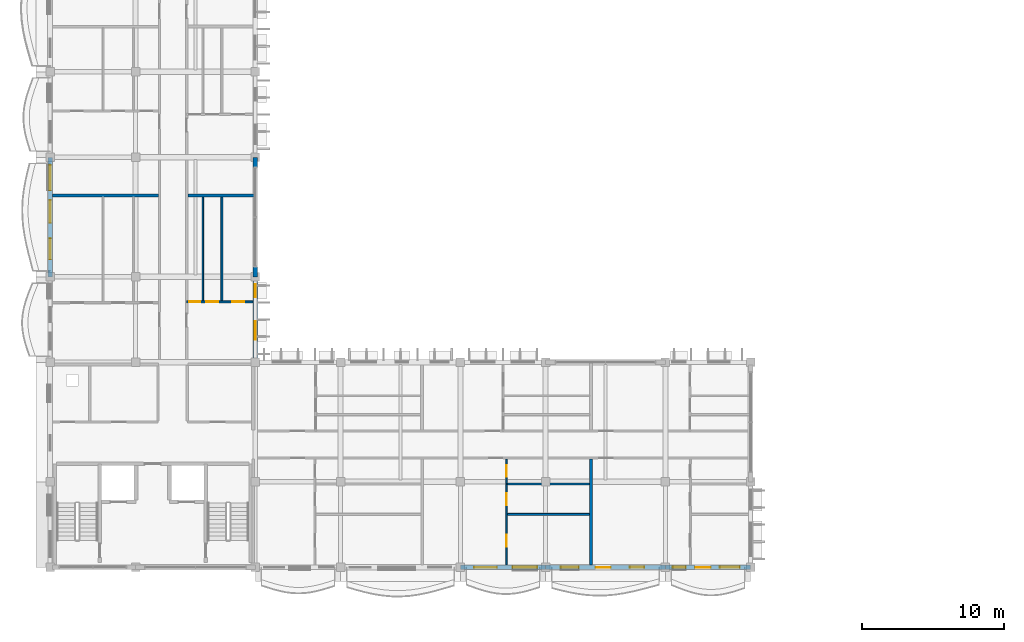
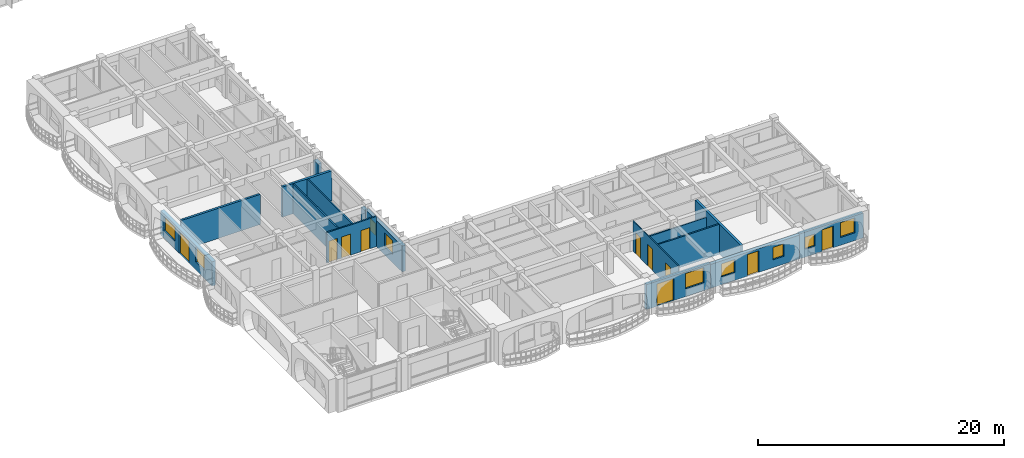
# One storey, part 27 of 79: 16 walls, 10 doors, 9 windows, 19 openings.
"""IFC4 building model written with IfcOpenShell, lengths in metres."""

from ifc_helpers import new_model, si_unit, direction, frame, frame_2d, origin, place, context, subcontext, project, spatial, rectangle, extrude, material, layer, layer_set, type_object, element, fill, save


model = new_model("IFC4")

# Units and contexts
model_context = context("Model", 3, precision=1e-05, world=origin(), true_north=direction((0.0, 1.0)))
body_context = subcontext(model_context, "Body", "Model", "MODEL_VIEW")
ifc_project = project(units=[si_unit("LENGTHUNIT", "METRE"), si_unit("AREAUNIT", "SQUARE_METRE"), si_unit("VOLUMEUNIT", "CUBIC_METRE"), si_unit("PLANEANGLEUNIT", "RADIAN"), si_unit("MASSUNIT", "GRAM", prefix="KILO"), si_unit("THERMODYNAMICTEMPERATUREUNIT", "KELVIN")], contexts=[model_context])

# Site, building, storey
site_placement = place(None, origin())
site = spatial("IfcSite", under=ifc_project, at=site_placement, CompositionType="ELEMENT")
building_placement = place(site_placement, origin())
building = spatial("IfcBuilding", under=site, at=building_placement, Name="Thalorik Housing Commons", CompositionType="ELEMENT")
storey_placement = place(building_placement, frame((0.0, 0.0, 11.39990234375)))
storey = spatial("IfcBuildingStorey", under=building, at=storey_placement, Name="L03", CompositionType="ELEMENT", Elevation=11.39990234375)

# Wall, openings, windows
ifc_material_1 = material(Name="White precast concrete C40/50", Category="concrete")
ifc_layer_1 = layer(ifc_material_1, 0.3349609375, Name="White precast concrete C40/50", Category="concrete")
ifc_layer_set_1 = layer_set([ifc_layer_1], Name="White precast concrete C40/50")
wall_type_1 = type_object("IfcWallType", Name="ARC-WAL-EXT-335", PredefinedType="STANDARD", material=ifc_layer_set_1)
wall_1_placement = place(storey_placement, frame((22.800048828125, 22.800048828125, 0.0), z_axis=(0.0, 0.0, 1.0), x_axis=(0.0, 1.0, 0.0)))
wall_1 = element("IfcWall", 1, at=wall_1_placement, inside=storey, type_object=wall_type_1, Name="L03 Exterior Wall WAL-EXT-L03-C-0905", PredefinedType="STANDARD", context=body_context, shape_type="SweptSolid", body=[
    extrude(rectangle(XDim=6.0, YDim=0.3349609375, at=frame_2d((3.0, 0.0))), origin(), (0.0, 0.0, 1.0), 2.5751953125),
])
opening_1_placement = place(wall_1_placement, frame((1.5712890625, 0.0, 0.780029296875)))
opening_1 = element("IfcOpeningElement", 2, at=opening_1_placement, cuts=wall_1, Name="Opening W-06", PredefinedType="OPENING", context=body_context, shape_type="SweptSolid", body=[
    extrude(rectangle(XDim=1.300048828125, YDim=1.39990234375, at=frame_2d((0.64990234375, 0.699951171875))), frame((0.0, 0.177490234375, 0.0), z_axis=(0.0, -1.0, 0.0), x_axis=(1.0, 0.0, 0.0)), (0.0, 0.0, 1.0), 0.35498046875),
])
opening_2_placement = place(wall_1_placement, frame((4.581298828125, 0.0, 0.780029296875)))
opening_2 = element("IfcOpeningElement", 3, at=opening_2_placement, cuts=wall_1, Name="Opening W-01", PredefinedType="OPENING", context=body_context, shape_type="SweptSolid", body=[
    extrude(rectangle(XDim=0.89990234375, YDim=1.199951171875, at=frame_2d((0.449951171875, 0.60009765625))), frame((0.0, 0.177490234375, 0.0), z_axis=(0.0, -1.0, 0.0), x_axis=(1.0, 0.0, 0.0)), (0.0, 0.0, 1.0), 0.35498046875),
])
ifc_material_2 = material(Name="Anodised aluminium and solar-control low-E glass", Category="aluminium")
window_type_1 = type_object("IfcWindowType", Name="ARC-WIN-01", PartitioningType="SINGLE_PANEL", PredefinedType="WINDOW", material=ifc_material_2)
window_1_placement = place(opening_2_placement, origin())
window_1 = element("IfcWindow", 4, at=window_1_placement, inside=storey, type_object=window_type_1, Name="L03 Facade Window 1676", OverallHeight=1.199951171875, OverallWidth=0.89990234375, PartitioningType="SINGLE_PANEL", PredefinedType="WINDOW", context=body_context, shape_type="SweptSolid", body=[
    extrude(rectangle(XDim=0.89990234375, YDim=1.199951171875, at=frame_2d((0.449951171875, 0.60009765625))), frame((0.0, 0.030029296875, 0.0), z_axis=(0.0, -1.0, 0.0), x_axis=(1.0, 0.0, 0.0)), (0.0, 0.0, 1.0), 0.06005859375),
])
fill(opening_2, window_1)
window_type_2 = type_object("IfcWindowType", Name="ARC-WIN-06", PartitioningType="SINGLE_PANEL", PredefinedType="WINDOW", material=ifc_material_2)
window_2_placement = place(opening_1_placement, origin())
window_2 = element("IfcWindow", 5, at=window_2_placement, inside=storey, type_object=window_type_2, Name="L03 Facade Window 1675", OverallHeight=1.39990234375, OverallWidth=1.300048828125, PartitioningType="SINGLE_PANEL", PredefinedType="WINDOW", context=body_context, shape_type="SweptSolid", body=[
    extrude(rectangle(XDim=1.300048828125, YDim=1.39990234375, at=frame_2d((0.64990234375, 0.699951171875))), frame((0.0, 0.030029296875, 0.0), z_axis=(0.0, -1.0, 0.0), x_axis=(1.0, 0.0, 0.0)), (0.0, 0.0, 1.0), 0.06005859375),
])
fill(opening_1, window_2)

# Walls
for number, where, z_axis, x_axis, name in (
    (6, (22.800048828125, 28.800048828125, 0.0), (0.0, 0.0, 1.0), (0.0, 1.0, 0.0), "L03 Exterior Wall WAL-PIERL-L03-C-0906"),
    (7, (22.800048828125, 36.5, 0.0), (0.0, 0.0, 1.0), (0.0, 1.0, 0.0), "L03 Exterior Wall WAL-PIERR-L03-C-0906"),
):
    element("IfcWall", number, at=place(storey_placement, frame(where, z_axis=z_axis, x_axis=x_axis)), inside=storey, type_object=wall_type_1, Name=name, PredefinedType="STANDARD", context=body_context, shape_type="SweptSolid", body=[
        extrude(rectangle(XDim=0.699951171875, YDim=0.3349609375, at=frame_2d((0.35009765625, 0.0))), origin(), (0.0, 0.0, 1.0), 2.425048828125),
    ])

# Wall, openings, door, windows
wall_2_placement = place(storey_placement, frame((8.39990234375, 37.199951171875, 0.0), z_axis=(0.0, 0.0, 1.0), x_axis=(0.0, -1.0, 0.0)))
wall_2 = element("IfcWall", 8, at=wall_2_placement, inside=storey, type_object=wall_type_1, Name="L03 Exterior Wall WAL-EXT-L03-C-0915", PredefinedType="STANDARD", context=body_context, shape_type="SweptSolid", body=[
    extrude(rectangle(XDim=8.39990234375, YDim=0.3349609375, at=frame_2d((4.199951171875, 0.0))), origin(), (0.0, 0.0, 1.0), 2.425048828125),
])
opening_3_placement = place(wall_2_placement, frame((3.010009765625, 0.0, 0.0)))
opening_3 = element("IfcOpeningElement", 9, at=opening_3_placement, cuts=wall_2, Name="Opening ED-0301", PredefinedType="OPENING", context=body_context, shape_type="SweptSolid", body=[
    extrude(rectangle(XDim=1.60009765625, YDim=2.199951171875, at=frame_2d((0.800048828125, 1.10009765625))), frame((0.0, 0.177490234375, 0.0), z_axis=(0.0, -1.0, 0.0), x_axis=(1.0, 0.0, 0.0)), (0.0, 0.0, 1.0), 0.35498046875),
])
opening_4_placement = place(wall_2_placement, frame((0.544921875, 0.0, 0.780029296875)))
opening_4 = element("IfcOpeningElement", 10, at=opening_4_placement, cuts=wall_2, Name="Opening W-57", PredefinedType="OPENING", context=body_context, shape_type="SweptSolid", body=[
    extrude(rectangle(XDim=1.780029296875, YDim=1.419921875, at=frame_2d((0.89013671875, 0.7099609375))), frame((0.0, 0.177490234375, 0.0), z_axis=(0.0, -1.0, 0.0), x_axis=(1.0, 0.0, 0.0)), (0.0, 0.0, 1.0), 0.35498046875),
])
opening_5_placement = place(wall_2_placement, frame((5.695068359375, 0.0, 0.780029296875)))
opening_5 = element("IfcOpeningElement", 11, at=opening_5_placement, cuts=wall_2, Name="Opening W-51", PredefinedType="OPENING", context=body_context, shape_type="SweptSolid", body=[
    extrude(rectangle(XDim=1.47998046875, YDim=1.52001953125, at=frame_2d((0.739990234375, 0.760009765625))), frame((0.0, 0.177490234375, 0.0), z_axis=(0.0, -1.0, 0.0), x_axis=(1.0, 0.0, 0.0)), (0.0, 0.0, 1.0), 0.35498046875),
])
ifc_material_3 = material(Name="Anodised aluminium and laminated safety glass", Category="aluminium")
door_type_1 = type_object("IfcDoorType", Name="ARC-DR-BAL-1600", OperationType="NOTDEFINED", PredefinedType="DOOR", material=ifc_material_3)
door_1_placement = place(opening_3_placement, frame((1.60009765625, 0.0, 0.0), z_axis=(0.0, 0.0, 1.0), x_axis=(-1.0, 0.0, 0.0)))
door_1 = element("IfcDoor", 12, at=door_1_placement, inside=storey, type_object=door_type_1, Name="L03 Block C Balcony Glazed Door", OperationType="SLIDING_TO_LEFT", OverallHeight=2.199951171875, OverallWidth=1.60009765625, PredefinedType="DOOR", context=body_context, shape_type="SweptSolid", body=[
    extrude(rectangle(XDim=1.60009765625, YDim=2.199951171875, at=frame_2d((0.800048828125, 1.10009765625))), frame((0.0, 0.02490234375, 0.0), z_axis=(0.0, -1.0, 0.0), x_axis=(1.0, 0.0, 0.0)), (0.0, 0.0, 1.0), 0.050048828125),
])
fill(opening_3, door_1)
window_type_3 = type_object("IfcWindowType", Name="ARC-WIN-51", PartitioningType="SINGLE_PANEL", PredefinedType="WINDOW", material=ifc_material_2)
window_3_placement = place(opening_5_placement, origin())
window_3 = element("IfcWindow", 13, at=window_3_placement, inside=storey, type_object=window_type_3, Name="L03 Facade Window 1693", OverallHeight=1.52001953125, OverallWidth=1.47998046875, PartitioningType="SINGLE_PANEL", PredefinedType="WINDOW", context=body_context, shape_type="SweptSolid", body=[
    extrude(rectangle(XDim=1.47998046875, YDim=1.52001953125, at=frame_2d((0.739990234375, 0.760009765625))), frame((0.0, 0.030029296875, 0.0), z_axis=(0.0, -1.0, 0.0), x_axis=(1.0, 0.0, 0.0)), (0.0, 0.0, 1.0), 0.06005859375),
])
fill(opening_5, window_3)
window_type_4 = type_object("IfcWindowType", Name="ARC-WIN-57", PartitioningType="DOUBLE_PANEL_VERTICAL", PredefinedType="WINDOW", material=ifc_material_2)
window_4_placement = place(opening_4_placement, origin())
window_4 = element("IfcWindow", 14, at=window_4_placement, inside=storey, type_object=window_type_4, Name="L03 Facade Window 1692", OverallHeight=1.419921875, OverallWidth=1.780029296875, PartitioningType="DOUBLE_PANEL_VERTICAL", PredefinedType="WINDOW", context=body_context, shape_type="SweptSolid", body=[
    extrude(rectangle(XDim=1.780029296875, YDim=1.419921875, at=frame_2d((0.89013671875, 0.7099609375))), frame((0.0, 0.030029296875, 0.0), z_axis=(0.0, -1.0, 0.0), x_axis=(1.0, 0.0, 0.0)), (0.0, 0.0, 1.0), 0.06005859375),
])
fill(opening_4, window_4)

# Wall, openings, door, window
wall_3_placement = place(storey_placement, frame((37.199951171875, 8.39990234375, 0.0), z_axis=(0.0, 0.0, 1.0), x_axis=(1.0, 0.0, 0.0)))
wall_3 = element("IfcWall", 15, at=wall_3_placement, inside=storey, type_object=wall_type_1, Name="L03 Exterior Wall WAL-EXT-L03-C-0923", PredefinedType="STANDARD", context=body_context, shape_type="SweptSolid", body=[
    extrude(rectangle(XDim=6.0, YDim=0.3349609375, at=frame_2d((3.0, 0.0))), origin(), (0.0, 0.0, 1.0), 2.47509765625),
])
opening_6_placement = place(wall_3_placement, frame((0.969970703125, 0.0, 0.0)))
opening_6 = element("IfcOpeningElement", 16, at=opening_6_placement, cuts=wall_3, Name="Opening ED-0305", PredefinedType="OPENING", context=body_context, shape_type="SweptSolid", body=[
    extrude(rectangle(XDim=1.60009765625, YDim=2.199951171875, at=frame_2d((0.800048828125, 1.10009765625))), frame((0.0, 0.177490234375, 0.0), z_axis=(0.0, -1.0, 0.0), x_axis=(1.0, 0.0, 0.0)), (0.0, 0.0, 1.0), 0.35498046875),
])
opening_7_placement = place(wall_3_placement, frame((3.669921875, 0.0, 0.780029296875)))
opening_7 = element("IfcOpeningElement", 17, at=opening_7_placement, cuts=wall_3, Name="Opening W-56", PredefinedType="OPENING", context=body_context, shape_type="SweptSolid", body=[
    extrude(rectangle(XDim=1.719970703125, YDim=1.52001953125, at=frame_2d((0.85986328125, 0.760009765625))), frame((0.0, 0.177490234375, 0.0), z_axis=(0.0, -1.0, 0.0), x_axis=(1.0, 0.0, 0.0)), (0.0, 0.0, 1.0), 0.35498046875),
])
door_2_placement = place(opening_6_placement, frame((1.60009765625, 0.0, 0.0), z_axis=(0.0, 0.0, 1.0), x_axis=(-1.0, 0.0, 0.0)))
door_2 = element("IfcDoor", 18, at=door_2_placement, inside=storey, type_object=door_type_1, Name="L03 Block C Balcony Glazed Door", OperationType="SLIDING_TO_LEFT", OverallHeight=2.199951171875, OverallWidth=1.60009765625, PredefinedType="DOOR", context=body_context, shape_type="SweptSolid", body=[
    extrude(rectangle(XDim=1.60009765625, YDim=2.199951171875, at=frame_2d((0.800048828125, 1.10009765625))), frame((0.0, 0.02490234375, 0.0), z_axis=(0.0, -1.0, 0.0), x_axis=(1.0, 0.0, 0.0)), (0.0, 0.0, 1.0), 0.050048828125),
])
fill(opening_6, door_2)
window_type_5 = type_object("IfcWindowType", Name="ARC-WIN-56", PartitioningType="DOUBLE_PANEL_VERTICAL", PredefinedType="WINDOW", material=ifc_material_2)
window_5_placement = place(opening_7_placement, origin())
window_5 = element("IfcWindow", 19, at=window_5_placement, inside=storey, type_object=window_type_5, Name="L03 Facade Window 1704", OverallHeight=1.52001953125, OverallWidth=1.719970703125, PartitioningType="DOUBLE_PANEL_VERTICAL", PredefinedType="WINDOW", context=body_context, shape_type="SweptSolid", body=[
    extrude(rectangle(XDim=1.719970703125, YDim=1.52001953125, at=frame_2d((0.85986328125, 0.760009765625))), frame((0.0, 0.030029296875, 0.0), z_axis=(0.0, -1.0, 0.0), x_axis=(1.0, 0.0, 0.0)), (0.0, 0.0, 1.0), 0.06005859375),
])
fill(opening_7, window_5)

# Wall, openings, door, windows
wall_4_placement = place(storey_placement, frame((43.199951171875, 8.39990234375, 0.0), z_axis=(0.0, 0.0, 1.0), x_axis=(1.0, 0.0, 0.0)))
wall_4 = element("IfcWall", 20, at=wall_4_placement, inside=storey, type_object=wall_type_1, Name="L03 Exterior Wall WAL-EXT-L03-C-0924", PredefinedType="STANDARD", context=body_context, shape_type="SweptSolid", body=[
    extrude(rectangle(XDim=8.400146484375, YDim=0.3349609375, at=frame_2d((4.2001953125, 0.0))), origin(), (0.0, 0.0, 1.0), 2.375),
])
opening_8_placement = place(wall_4_placement, frame((3.510009765625, 0.0, 0.0)))
opening_8 = element("IfcOpeningElement", 21, at=opening_8_placement, cuts=wall_4, Name="Opening ED-0306", PredefinedType="OPENING", context=body_context, shape_type="SweptSolid", body=[
    extrude(rectangle(XDim=1.050048828125, YDim=2.14990234375, at=frame_2d((0.52490234375, 1.074951171875))), frame((0.0, 0.177490234375, 0.0), z_axis=(0.0, -1.0, 0.0), x_axis=(1.0, 0.0, 0.0)), (0.0, 0.0, 1.0), 0.35498046875),
])
opening_9_placement = place(wall_4_placement, frame((1.06005859375, 0.0, 0.780029296875)))
opening_9 = element("IfcOpeningElement", 22, at=opening_9_placement, cuts=wall_4, Name="Opening W-46", PredefinedType="OPENING", context=body_context, shape_type="SweptSolid", body=[
    extrude(rectangle(XDim=1.25, YDim=1.300048828125, at=frame_2d((0.625, 0.64990234375))), frame((0.0, 0.177490234375, 0.0), z_axis=(0.0, -1.0, 0.0), x_axis=(1.0, 0.0, 0.0)), (0.0, 0.0, 1.0), 0.35498046875),
])
opening_10_placement = place(wall_4_placement, frame((5.909912109375, 0.0, 0.780029296875)))
opening_10 = element("IfcOpeningElement", 23, at=opening_10_placement, cuts=wall_4, Name="Opening W-02", PredefinedType="OPENING", context=body_context, shape_type="SweptSolid", body=[
    extrude(rectangle(XDim=1.0, YDim=1.25, at=frame_2d((0.5, 0.625))), frame((0.0, 0.177490234375, 0.0), z_axis=(0.0, -1.0, 0.0), x_axis=(1.0, 0.0, 0.0)), (0.0, 0.0, 1.0), 0.35498046875),
])
door_type_2 = type_object("IfcDoorType", Name="ARC-DR-BAL-1050", OperationType="NOTDEFINED", PredefinedType="DOOR", material=ifc_material_3)
door_3_placement = place(opening_8_placement, frame((1.050048828125, 0.0, 0.0), z_axis=(0.0, 0.0, 1.0), x_axis=(-1.0, 0.0, 0.0)))
door_3 = element("IfcDoor", 24, at=door_3_placement, inside=storey, type_object=door_type_2, Name="L03 Block C Balcony Glazed Door", OperationType="SINGLE_SWING_LEFT", OverallHeight=2.14990234375, OverallWidth=1.050048828125, PredefinedType="DOOR", context=body_context, shape_type="SweptSolid", body=[
    extrude(rectangle(XDim=1.050048828125, YDim=2.14990234375, at=frame_2d((0.52490234375, 1.074951171875))), frame((0.0, 0.02490234375, 0.0), z_axis=(0.0, -1.0, 0.0), x_axis=(1.0, 0.0, 0.0)), (0.0, 0.0, 1.0), 0.050048828125),
])
fill(opening_8, door_3)
window_type_6 = type_object("IfcWindowType", Name="ARC-WIN-02", PartitioningType="SINGLE_PANEL", PredefinedType="WINDOW", material=ifc_material_2)
window_6_placement = place(opening_10_placement, origin())
window_6 = element("IfcWindow", 25, at=window_6_placement, inside=storey, type_object=window_type_6, Name="L03 Facade Window 1706", OverallHeight=1.25, OverallWidth=1.0, PartitioningType="SINGLE_PANEL", PredefinedType="WINDOW", context=body_context, shape_type="SweptSolid", body=[
    extrude(rectangle(XDim=1.0, YDim=1.25, at=frame_2d((0.5, 0.625))), frame((0.0, 0.030029296875, 0.0), z_axis=(0.0, -1.0, 0.0), x_axis=(1.0, 0.0, 0.0)), (0.0, 0.0, 1.0), 0.06005859375),
])
fill(opening_10, window_6)
window_type_7 = type_object("IfcWindowType", Name="ARC-WIN-46", PartitioningType="SINGLE_PANEL", PredefinedType="WINDOW", material=ifc_material_2)
window_7_placement = place(opening_9_placement, origin())
window_7 = element("IfcWindow", 26, at=window_7_placement, inside=storey, type_object=window_type_7, Name="L03 Facade Window 1705", OverallHeight=1.300048828125, OverallWidth=1.25, PartitioningType="SINGLE_PANEL", PredefinedType="WINDOW", context=body_context, shape_type="SweptSolid", body=[
    extrude(rectangle(XDim=1.25, YDim=1.300048828125, at=frame_2d((0.625, 0.64990234375))), frame((0.0, 0.030029296875, 0.0), z_axis=(0.0, -1.0, 0.0), x_axis=(1.0, 0.0, 0.0)), (0.0, 0.0, 1.0), 0.06005859375),
])
fill(opening_9, window_7)

wall_5_placement = place(storey_placement, frame((51.60009765625, 8.39990234375, 0.0), z_axis=(0.0, 0.0, 1.0), x_axis=(1.0, 0.0, 0.0)))
wall_5 = element("IfcWall", 27, at=wall_5_placement, inside=storey, type_object=wall_type_1, Name="L03 Exterior Wall WAL-EXT-L03-C-0925", PredefinedType="STANDARD", context=body_context, shape_type="SweptSolid", body=[
    extrude(rectangle(XDim=6.0, YDim=0.3349609375, at=frame_2d((3.0, 0.0))), origin(), (0.0, 0.0, 1.0), 2.47509765625),
])
opening_11_placement = place(wall_5_placement, frame((2.090087890625, 0.0, 0.0)))
opening_11 = element("IfcOpeningElement", 28, at=opening_11_placement, cuts=wall_5, Name="Opening ED-0307", PredefinedType="OPENING", context=body_context, shape_type="SweptSolid", body=[
    extrude(rectangle(XDim=1.10009765625, YDim=2.14990234375, at=frame_2d((0.550048828125, 1.074951171875))), frame((0.0, 0.177490234375, 0.0), z_axis=(0.0, -1.0, 0.0), x_axis=(1.0, 0.0, 0.0)), (0.0, 0.0, 1.0), 0.35498046875),
])
opening_12_placement = place(wall_5_placement, frame((0.52490234375, 0.0, 0.780029296875)))
opening_12 = element("IfcOpeningElement", 29, at=opening_12_placement, cuts=wall_5, Name="Opening W-01", PredefinedType="OPENING", context=body_context, shape_type="SweptSolid", body=[
    extrude(rectangle(XDim=0.89990234375, YDim=1.199951171875, at=frame_2d((0.449951171875, 0.60009765625))), frame((0.0, 0.177490234375, 0.0), z_axis=(0.0, -1.0, 0.0), x_axis=(1.0, 0.0, 0.0)), (0.0, 0.0, 1.0), 0.35498046875),
])
opening_13_placement = place(wall_5_placement, frame((3.8349609375, 0.0, 0.780029296875)))
opening_13 = element("IfcOpeningElement", 30, at=opening_13_placement, cuts=wall_5, Name="Opening W-49", PredefinedType="OPENING", context=body_context, shape_type="SweptSolid", body=[
    extrude(rectangle(XDim=1.3798828125, YDim=1.47998046875, at=frame_2d((0.68994140625, 0.739990234375))), frame((0.0, 0.177490234375, 0.0), z_axis=(0.0, -1.0, 0.0), x_axis=(1.0, 0.0, 0.0)), (0.0, 0.0, 1.0), 0.35498046875),
])
door_type_3 = type_object("IfcDoorType", Name="ARC-DR-BAL-1100", OperationType="NOTDEFINED", PredefinedType="DOOR", material=ifc_material_3)
door_4_placement = place(opening_11_placement, frame((1.10009765625, 0.0, 0.0), z_axis=(0.0, 0.0, 1.0), x_axis=(-1.0, 0.0, 0.0)))
door_4 = element("IfcDoor", 31, at=door_4_placement, inside=storey, type_object=door_type_3, Name="L03 Block C Balcony Glazed Door", OperationType="SINGLE_SWING_RIGHT", OverallHeight=2.14990234375, OverallWidth=1.10009765625, PredefinedType="DOOR", context=body_context, shape_type="SweptSolid", body=[
    extrude(rectangle(XDim=1.10009765625, YDim=2.14990234375, at=frame_2d((0.550048828125, 1.074951171875))), frame((0.0, 0.02490234375, 0.0), z_axis=(0.0, -1.0, 0.0), x_axis=(1.0, 0.0, 0.0)), (0.0, 0.0, 1.0), 0.050048828125),
])
fill(opening_11, door_4)
window_8_placement = place(opening_12_placement, origin())
window_8 = element("IfcWindow", 32, at=window_8_placement, inside=storey, type_object=window_type_1, Name="L03 Facade Window 1707", OverallHeight=1.199951171875, OverallWidth=0.89990234375, PartitioningType="SINGLE_PANEL", PredefinedType="WINDOW", context=body_context, shape_type="SweptSolid", body=[
    extrude(rectangle(XDim=0.89990234375, YDim=1.199951171875, at=frame_2d((0.449951171875, 0.60009765625))), frame((0.0, 0.030029296875, 0.0), z_axis=(0.0, -1.0, 0.0), x_axis=(1.0, 0.0, 0.0)), (0.0, 0.0, 1.0), 0.06005859375),
])
fill(opening_12, window_8)
window_type_8 = type_object("IfcWindowType", Name="ARC-WIN-49", PartitioningType="SINGLE_PANEL", PredefinedType="WINDOW", material=ifc_material_2)
window_9_placement = place(opening_13_placement, origin())
window_9 = element("IfcWindow", 33, at=window_9_placement, inside=storey, type_object=window_type_8, Name="L03 Facade Window 1708", OverallHeight=1.47998046875, OverallWidth=1.3798828125, PartitioningType="SINGLE_PANEL", PredefinedType="WINDOW", context=body_context, shape_type="SweptSolid", body=[
    extrude(rectangle(XDim=1.3798828125, YDim=1.47998046875, at=frame_2d((0.68994140625, 0.739990234375))), frame((0.0, 0.030029296875, 0.0), z_axis=(0.0, -1.0, 0.0), x_axis=(1.0, 0.0, 0.0)), (0.0, 0.0, 1.0), 0.06005859375),
])
fill(opening_13, window_9)

# Wall, openings, doors
ifc_material_4 = material(Name="Gypsum light stud partition", Category="masonry")
ifc_layer_2 = layer(ifc_material_4, 0.10009765625, Name="Gypsum light stud partition", Category="masonry")
ifc_layer_set_2 = layer_set([ifc_layer_2], Name="Gypsum light stud partition")
wall_type_2 = type_object("IfcWallType", Name="ARC-WAL-PART-100", PredefinedType="PARTITIONING", material=ifc_layer_set_2)
wall_6_placement = place(storey_placement, frame((40.449951171875, 8.569580078125, 0.0), z_axis=(0.0, 0.0, 1.0), x_axis=(0.0, 1.0, 0.0)))
wall_6 = element("IfcWall", 34, at=wall_6_placement, inside=storey, type_object=wall_type_2, Name="L03 Unit 2 Spine Partition", PredefinedType="PARTITIONING", context=body_context, shape_type="SweptSolid", body=[
    extrude(rectangle(XDim=7.433349609375, YDim=0.10009765625, at=frame_2d((3.716796875, 0.0))), origin(), (0.0, 0.0, 1.0), 3.0),
])
opening_14_placement = place(wall_6_placement, frame((1.294189453125, 0.0, 0.0)))
opening_14 = element("IfcOpeningElement", 35, at=opening_14_placement, cuts=wall_6, Name="Opening ID-1680", PredefinedType="OPENING", context=body_context, shape_type="SweptSolid", body=[
    extrude(rectangle(XDim=0.820068359375, YDim=2.080078125, at=frame_2d((0.41015625, 1.0400390625))), frame((0.0, 0.06005859375, 0.0), z_axis=(0.0, -1.0, 0.0), x_axis=(1.0, 0.0, 0.0)), (0.0, 0.0, 1.0), 0.1201171875),
])
opening_15_placement = place(wall_6_placement, frame((4.18994140625, 0.0, 0.0)))
opening_15 = element("IfcOpeningElement", 36, at=opening_15_placement, cuts=wall_6, Name="Opening ID-1681", PredefinedType="OPENING", context=body_context, shape_type="SweptSolid", body=[
    extrude(rectangle(XDim=0.85009765625, YDim=2.10009765625, at=frame_2d((0.425048828125, 1.050048828125))), frame((0.0, 0.06005859375, 0.0), z_axis=(0.0, -1.0, 0.0), x_axis=(1.0, 0.0, 0.0)), (0.0, 0.0, 1.0), 0.1201171875),
])
opening_16_placement = place(wall_6_placement, frame((6.196044921875, 0.0, 0.0)))
opening_16 = element("IfcOpeningElement", 37, at=opening_16_placement, cuts=wall_6, Name="Opening ID-1682", PredefinedType="OPENING", context=body_context, shape_type="SweptSolid", body=[
    extrude(rectangle(XDim=0.800048828125, YDim=2.10009765625, at=frame_2d((0.39990234375, 1.050048828125))), frame((0.0, 0.06005859375, 0.0), z_axis=(0.0, -1.0, 0.0), x_axis=(1.0, 0.0, 0.0)), (0.0, 0.0, 1.0), 0.1201171875),
])
ifc_material_5 = material(Name="Moisture-resistant timber", Category="wood")
door_type_4 = type_object("IfcDoorType", Name="ARC-DR-INT-800", OperationType="NOTDEFINED", PredefinedType="DOOR", material=ifc_material_5)
door_5_placement = place(opening_16_placement, origin())
door_5 = element("IfcDoor", 38, at=door_5_placement, inside=storey, type_object=door_type_4, Name="L03 Flat Bathroom Door", OperationType="SINGLE_SWING_LEFT", OverallHeight=2.10009765625, OverallWidth=0.800048828125, PredefinedType="DOOR", context=body_context, shape_type="SweptSolid", body=[
    extrude(rectangle(XDim=0.800048828125, YDim=2.10009765625, at=frame_2d((0.39990234375, 1.050048828125))), frame((0.0, 0.02490234375, 0.0), z_axis=(0.0, -1.0, 0.0), x_axis=(1.0, 0.0, 0.0)), (0.0, 0.0, 1.0), 0.050048828125),
])
fill(opening_16, door_5)
ifc_material_6 = material(Name="Engineered oak timber", Category="wood")
door_type_5 = type_object("IfcDoorType", Name="ARC-DR-INT-820", OperationType="NOTDEFINED", PredefinedType="DOOR", material=ifc_material_6)
door_6_placement = place(opening_14_placement, origin())
door_6 = element("IfcDoor", 39, at=door_6_placement, inside=storey, type_object=door_type_5, Name="L03 Master Bedroom Door", OperationType="SINGLE_SWING_LEFT", OverallHeight=2.080078125, OverallWidth=0.820068359375, PredefinedType="DOOR", context=body_context, shape_type="SweptSolid", body=[
    extrude(rectangle(XDim=0.820068359375, YDim=2.080078125, at=frame_2d((0.41015625, 1.0400390625))), frame((0.0, 0.02490234375, 0.0), z_axis=(0.0, -1.0, 0.0), x_axis=(1.0, 0.0, 0.0)), (0.0, 0.0, 1.0), 0.050048828125),
])
fill(opening_14, door_6)
door_type_6 = type_object("IfcDoorType", Name="ARC-DR-INT-850", OperationType="NOTDEFINED", PredefinedType="DOOR", material=ifc_material_6)
door_7_placement = place(opening_15_placement, origin())
door_7 = element("IfcDoor", 40, at=door_7_placement, inside=storey, type_object=door_type_6, Name="L03 Eat-In Kitchen Door", OperationType="SINGLE_SWING_RIGHT", OverallHeight=2.10009765625, OverallWidth=0.85009765625, PredefinedType="DOOR", context=body_context, shape_type="SweptSolid", body=[
    extrude(rectangle(XDim=0.85009765625, YDim=2.10009765625, at=frame_2d((0.425048828125, 1.050048828125))), frame((0.0, 0.02490234375, 0.0), z_axis=(0.0, -1.0, 0.0), x_axis=(1.0, 0.0, 0.0)), (0.0, 0.0, 1.0), 0.050048828125),
])
fill(opening_15, door_7)

# Walls
ifc_material_7 = material(Name="Gypsum moisture-resistant partition", Category="masonry")
ifc_layer_3 = layer(ifc_material_7, 0.114990234375, Name="Gypsum moisture-resistant partition", Category="masonry")
ifc_layer_set_3 = layer_set([ifc_layer_3], Name="Gypsum moisture-resistant partition")
wall_type_3 = type_object("IfcWallType", Name="ARC-WAL-PART-115", PredefinedType="PARTITIONING", material=ifc_layer_set_3)
wall_7_placement = place(storey_placement, frame((19.122314453125, 27.124755859375, 0.0), z_axis=(0.0, 0.0, 1.0), x_axis=(0.0, 1.0, 0.0)))
element("IfcWall", 41, at=wall_7_placement, inside=storey, type_object=wall_type_3, Name="L03 Unit 1B Wet Wall", PredefinedType="PARTITIONING", context=body_context, shape_type="SweptSolid", body=[
    extrude(rectangle(XDim=7.283203125, YDim=0.114990234375, at=frame_2d((3.6416015625, 0.0))), origin(), (0.0, 0.0, 1.0), 3.0),
])
ifc_material_8 = material(Name="Gypsum acoustic stud partition", Category="masonry")
ifc_layer_4 = layer(ifc_material_8, 0.125, Name="Gypsum acoustic stud partition", Category="masonry")
ifc_layer_set_4 = layer_set([ifc_layer_4], Name="Gypsum acoustic stud partition")
wall_type_4 = type_object("IfcWallType", Name="ARC-WAL-PART-125", PredefinedType="PARTITIONING", material=ifc_layer_set_4)
wall_8_placement = place(storey_placement, frame((20.455078125, 27.124755859375, 0.0), z_axis=(0.0, 0.0, 1.0), x_axis=(0.0, 1.0, 0.0)))
element("IfcWall", 42, at=wall_8_placement, inside=storey, type_object=wall_type_4, Name="L03 Unit 1B Bedroom Partition", PredefinedType="PARTITIONING", context=body_context, shape_type="SweptSolid", body=[
    extrude(rectangle(XDim=7.283203125, YDim=0.125, at=frame_2d((3.6416015625, 0.0))), origin(), (0.0, 0.0, 1.0), 3.0),
])
wall_9_placement = place(storey_placement, frame((40.501953125, 14.251220703125, 0.0), z_axis=(0.0, 0.0, 1.0), x_axis=(1.0, 0.0, 0.0)))
element("IfcWall", 43, at=wall_9_placement, inside=storey, type_object=wall_type_4, Name="L03 Unit 2 Wet Wall", PredefinedType="PARTITIONING", context=body_context, shape_type="SweptSolid", body=[
    extrude(rectangle(XDim=5.76611328125, YDim=0.125, at=frame_2d((2.883056640625, 0.0))), origin(), (0.0, 0.0, 1.0), 2.375),
])

# Wall, openings, doors
ifc_material_9 = material(Name="Ceramic masonry partition wall", Category="masonry")
ifc_layer_5 = layer(ifc_material_9, 0.139892578125, Name="Ceramic masonry partition wall", Category="masonry")
ifc_layer_set_5 = layer_set([ifc_layer_5], Name="Ceramic masonry partition wall")
wall_type_5 = type_object("IfcWallType", Name="ARC-WAL-PART-140", PredefinedType="PARTITIONING", material=ifc_layer_set_5)
wall_10_placement = place(storey_placement, frame((17.97998046875, 27.052734375, 0.0), z_axis=(0.0, 0.0, 1.0), x_axis=(1.0, 0.0, 0.0)))
wall_10 = element("IfcWall", 44, at=wall_10_placement, inside=storey, type_object=wall_type_5, Name="L03 Unit 1B Spine Partition", PredefinedType="PARTITIONING", context=body_context, shape_type="SweptSolid", body=[
    extrude(rectangle(XDim=4.650634765625, YDim=0.139892578125, at=frame_2d((2.3251953125, 0.0))), origin(), (0.0, 0.0, 1.0), 3.0),
])
opening_17_placement = place(wall_10_placement, frame((0.171142578125, 0.0, 0.0)))
opening_17 = element("IfcOpeningElement", 45, at=opening_17_placement, cuts=wall_10, Name="Opening ID-1653", PredefinedType="OPENING", context=body_context, shape_type="SweptSolid", body=[
    extrude(rectangle(XDim=0.800048828125, YDim=2.10009765625, at=frame_2d((0.39990234375, 1.050048828125))), frame((0.0, 0.080078125, 0.0), z_axis=(0.0, -1.0, 0.0), x_axis=(1.0, 0.0, 0.0)), (0.0, 0.0, 1.0), 0.159912109375),
])
opening_18_placement = place(wall_10_placement, frame((1.3837890625, 0.0, 0.0)))
opening_18 = element("IfcOpeningElement", 46, at=opening_18_placement, cuts=wall_10, Name="Opening ID-1654", PredefinedType="OPENING", context=body_context, shape_type="SweptSolid", body=[
    extrude(rectangle(XDim=0.85009765625, YDim=2.10009765625, at=frame_2d((0.425048828125, 1.050048828125))), frame((0.0, 0.080078125, 0.0), z_axis=(0.0, -1.0, 0.0), x_axis=(1.0, 0.0, 0.0)), (0.0, 0.0, 1.0), 0.159912109375),
])
opening_19_placement = place(wall_10_placement, frame((3.192626953125, 0.0, 0.0)))
opening_19 = element("IfcOpeningElement", 47, at=opening_19_placement, cuts=wall_10, Name="Opening ID-1655", PredefinedType="OPENING", context=body_context, shape_type="SweptSolid", body=[
    extrude(rectangle(XDim=0.85009765625, YDim=2.10009765625, at=frame_2d((0.425048828125, 1.050048828125))), frame((0.0, 0.080078125, 0.0), z_axis=(0.0, -1.0, 0.0), x_axis=(1.0, 0.0, 0.0)), (0.0, 0.0, 1.0), 0.159912109375),
])
door_8_placement = place(opening_17_placement, origin())
door_8 = element("IfcDoor", 48, at=door_8_placement, inside=storey, type_object=door_type_4, Name="L03 Flat Bathroom Door", OperationType="SINGLE_SWING_RIGHT", OverallHeight=2.10009765625, OverallWidth=0.800048828125, PredefinedType="DOOR", context=body_context, shape_type="SweptSolid", body=[
    extrude(rectangle(XDim=0.800048828125, YDim=2.10009765625, at=frame_2d((0.39990234375, 1.050048828125))), frame((0.0, 0.02490234375, 0.0), z_axis=(0.0, -1.0, 0.0), x_axis=(1.0, 0.0, 0.0)), (0.0, 0.0, 1.0), 0.050048828125),
])
fill(opening_17, door_8)
door_9_placement = place(opening_18_placement, origin())
door_9 = element("IfcDoor", 49, at=door_9_placement, inside=storey, type_object=door_type_6, Name="L03 Galley Kitchen Door", OperationType="SINGLE_SWING_LEFT", OverallHeight=2.10009765625, OverallWidth=0.85009765625, PredefinedType="DOOR", context=body_context, shape_type="SweptSolid", body=[
    extrude(rectangle(XDim=0.85009765625, YDim=2.10009765625, at=frame_2d((0.425048828125, 1.050048828125))), frame((0.0, 0.02490234375, 0.0), z_axis=(0.0, -1.0, 0.0), x_axis=(1.0, 0.0, 0.0)), (0.0, 0.0, 1.0), 0.050048828125),
])
fill(opening_18, door_9)
door_10_placement = place(opening_19_placement, origin())
door_10 = element("IfcDoor", 50, at=door_10_placement, inside=storey, type_object=door_type_6, Name="L03 Double Bedroom Door", OperationType="SINGLE_SWING_RIGHT", OverallHeight=2.10009765625, OverallWidth=0.85009765625, PredefinedType="DOOR", context=body_context, shape_type="SweptSolid", body=[
    extrude(rectangle(XDim=0.85009765625, YDim=2.10009765625, at=frame_2d((0.425048828125, 1.050048828125))), frame((0.0, 0.02490234375, 0.0), z_axis=(0.0, -1.0, 0.0), x_axis=(1.0, 0.0, 0.0)), (0.0, 0.0, 1.0), 0.050048828125),
])
fill(opening_19, door_10)

# Walls
wall_11_placement = place(storey_placement, frame((40.501953125, 12.11767578125, 0.0), z_axis=(0.0, 0.0, 1.0), x_axis=(1.0, 0.0, 0.0)))
element("IfcWall", 51, at=wall_11_placement, inside=storey, type_object=wall_type_5, Name="L03 Unit 2 Bedroom Partition", PredefinedType="PARTITIONING", context=body_context, shape_type="SweptSolid", body=[
    extrude(rectangle(XDim=5.76611328125, YDim=0.139892578125, at=frame_2d((2.883056640625, 0.0))), origin(), (0.0, 0.0, 1.0), 3.0),
])
ifc_material_10 = material(Name="Precast concrete C40/50 acoustic wall", Category="concrete")
ifc_layer_6 = layer(ifc_material_10, 0.199951171875, Name="Precast concrete C40/50 acoustic wall", Category="concrete")
ifc_layer_set_6 = layer_set([ifc_layer_6], Name="Precast concrete C40/50 acoustic wall")
wall_type_6 = type_object("IfcWallType", Name="ARC-WAL-PARTY-200", PredefinedType="PARTITIONING", material=ifc_layer_set_6)
wall_12_placement = place(storey_placement, frame((8.569580078125, 34.52001953125, 0.0), z_axis=(0.0, 0.0, 1.0), x_axis=(1.0, 0.0, 0.0)))
element("IfcWall", 52, at=wall_12_placement, inside=storey, type_object=wall_type_6, Name="L03 Inter-Tenancy Wall 1A", PredefinedType="PARTITIONING", context=body_context, shape_type="SweptSolid", body=[
    extrude(rectangle(XDim=7.433349609375, YDim=0.199951171875, at=frame_2d((3.716796875, 0.0))), origin(), (0.0, 0.0, 1.0), 3.0),
])
ifc_layer_7 = layer(ifc_material_10, 0.219970703125, Name="Precast concrete C40/50 acoustic wall", Category="concrete")
ifc_layer_set_7 = layer_set([ifc_layer_7], Name="Precast concrete C40/50 acoustic wall")
wall_type_7 = type_object("IfcWallType", Name="ARC-WAL-PARTY-220", PredefinedType="PARTITIONING", material=ifc_layer_set_7)
wall_13_placement = place(storey_placement, frame((18.064453125, 34.52001953125, 0.0), z_axis=(0.0, 0.0, 1.0), x_axis=(1.0, 0.0, 0.0)))
element("IfcWall", 53, at=wall_13_placement, inside=storey, type_object=wall_type_7, Name="L03 Inter-Tenancy Wall 1B", PredefinedType="PARTITIONING", context=body_context, shape_type="SweptSolid", body=[
    extrude(rectangle(XDim=4.675537109375, YDim=0.219970703125, at=frame_2d((2.337890625, 0.0))), origin(), (0.0, 0.0, 1.0), 3.0),
])
wall_14_placement = place(storey_placement, frame((46.3798828125, 8.569580078125, 0.0), z_axis=(0.0, 0.0, 1.0), x_axis=(0.0, 1.0, 0.0)))
element("IfcWall", 54, at=wall_14_placement, inside=storey, type_object=wall_type_7, Name="L03 Inter-Tenancy Wall 2A", PredefinedType="PARTITIONING", context=body_context, shape_type="SweptSolid", body=[
    extrude(rectangle(XDim=7.433349609375, YDim=0.219970703125, at=frame_2d((3.716796875, 0.0))), origin(), (0.0, 0.0, 1.0), 3.0),
])

save(model, "model.ifc")
